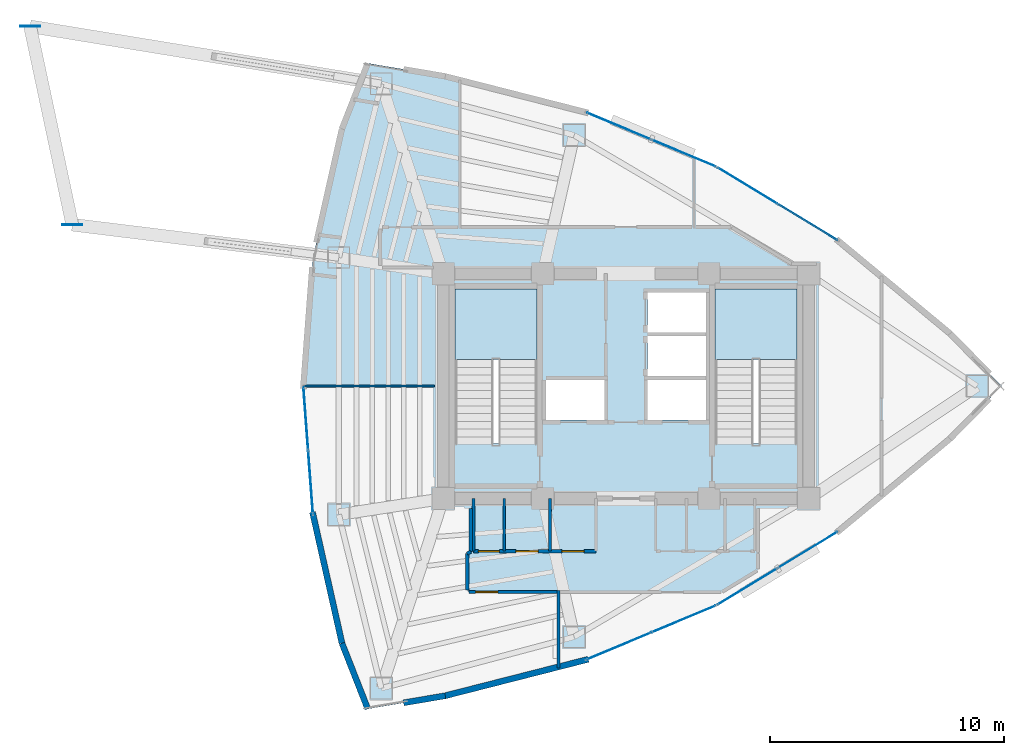
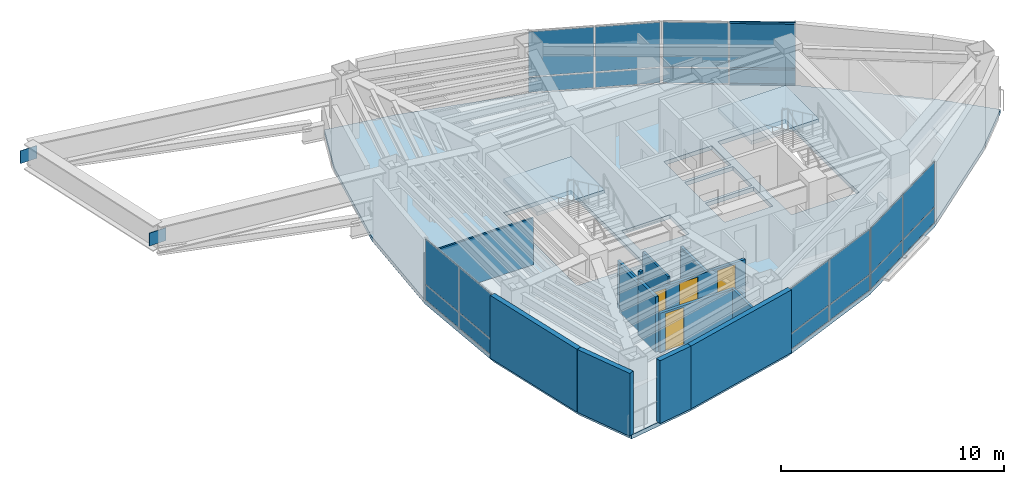
# One storey, part 10 of 14: 22 plates, 14 walls, 4 doors, 3 members, 3 slabs, 4 openings, 7 elements without a shape of their own.
"""IFC4 building model written with IfcOpenShell, lengths in metres."""

from ifc_helpers import new_model, si_unit, direction, frame, frame_2d, origin, origin_2d, place, context, subcontext, project, spatial, polyline, rectangle, hollow_rectangle, outline, extrude, material, layer, layer_set, material_profile, profile_set, type_object, element, fill, aggregate, save


model = new_model("IFC4")

# Units and contexts
model_context = context("Model", 3, precision=1e-05, world=origin(), true_north=direction((0.0, 1.0)))
body_context = subcontext(model_context, "Body", "Model", "MODEL_VIEW")
ifc_project = project(units=[si_unit("LENGTHUNIT", "METRE"), si_unit("AREAUNIT", "SQUARE_METRE"), si_unit("VOLUMEUNIT", "CUBIC_METRE"), si_unit("PLANEANGLEUNIT", "RADIAN"), si_unit("MASSUNIT", "GRAM", prefix="KILO")], contexts=[model_context])

# Site, building, storey
site_placement = place(None, origin())
site = spatial("IfcSite", under=ifc_project, at=site_placement, CompositionType="ELEMENT")
building_placement = place(site_placement, origin())
building = spatial("IfcBuilding", under=site, at=building_placement, Name="Menara Vayukalpa", CompositionType="ELEMENT")
storey_placement = place(building_placement, frame((0.0, 0.0, 191.52001953125)))
storey = spatial("IfcBuildingStorey", under=building, at=storey_placement, Name="L48", CompositionType="ELEMENT", Elevation=191.52001953125)

# Curtain wall, members, plates
ifc_material_1 = material(Name="Anodised Terracotta Aluminium Alloy 6063-T6", Category="masonry")
ifc_layer_1 = layer(ifc_material_1, 0.139892578125)
ifc_layer_set_1 = layer_set([ifc_layer_1], Name="Anodised Terracotta Aluminium Alloy 6063-T6")
curtain_wall_type = type_object("IfcCurtainWallType", Name="CW-CW5", PredefinedType="USERDEFINED", material=ifc_layer_set_1)
curtain_wall_1_placement = place(storey_placement, origin())
curtain_wall_1 = element("IfcCurtainWall", 1, at=curtain_wall_1_placement, inside=storey, type_object=curtain_wall_type, Name="L48 High Rise Tapered Curtain Wall CW5 04", ObjectType="UNITISED", PredefinedType="USERDEFINED")
ifc_material_2 = material(Name="Anodised Terracotta Aluminium Alloy 6063-T6", Category="masonry")
ifc_material_profile = material_profile(ifc_material_2, hollow_rectangle(XDim=0.06005859375, YDim=0.10498046875, WallThickness=0.0029296875, at=origin_2d()), Name="ALU 60x105x3")
ifc_profile_set = profile_set([ifc_material_profile], Name="Anodised Terracotta Aluminium Alloy 6063-T6")
member_type = type_object("IfcMemberType", Name="CWT-CW5", PredefinedType="USERDEFINED", material=ifc_profile_set)
member_1_placement = place(storey_placement, frame((34.615966796875, 28.23046875, 0.030029296875), z_axis=(-0.854683649113, 0.519149169255, 0.0), x_axis=(-0.519149169255, -0.854683649113, 0.0)))
member_1 = element("IfcMember", 2, at=member_1_placement, type_object=member_type, Name="CW5 transom 1.1", ObjectType="TRANSOM", PredefinedType="USERDEFINED", context=body_context, shape_type="SweptSolid", body=[
    extrude(hollow_rectangle(XDim=0.06005859375, YDim=0.10498046875, WallThickness=0.0029296875, at=origin_2d()), origin(), (0.0, 0.0, 1.0), 2.9423828125),
])
member_2_placement = place(storey_placement, frame((34.615966796875, 28.23046875, 0.89990234375), z_axis=(-0.854683649113, 0.519149169255, 0.0), x_axis=(-0.519149169255, -0.854683649113, 0.0)))
member_2 = element("IfcMember", 3, at=member_2_placement, type_object=member_type, Name="CW5 transom 1.2", ObjectType="TRANSOM", PredefinedType="USERDEFINED", context=body_context, shape_type="SweptSolid", body=[
    extrude(hollow_rectangle(XDim=0.06005859375, YDim=0.10498046875, WallThickness=0.0029296875, at=origin_2d()), origin(), (0.0, 0.0, 1.0), 2.9423828125),
])
member_3_placement = place(storey_placement, frame((34.615966796875, 28.23046875, 3.409912109375), z_axis=(-0.854683649113, 0.519149169255, 0.0), x_axis=(-0.519149169255, -0.854683649113, 0.0)))
member_3 = element("IfcMember", 4, at=member_3_placement, type_object=member_type, Name="CW5 transom 1.3", ObjectType="TRANSOM", PredefinedType="USERDEFINED", context=body_context, shape_type="SweptSolid", body=[
    extrude(hollow_rectangle(XDim=0.06005859375, YDim=0.10498046875, WallThickness=0.0029296875, at=origin_2d()), origin(), (0.0, 0.0, 1.0), 2.9423828125),
])
ifc_material_3 = material(Name="Low-E Double Glazing", Category="glass")
ifc_layer_2 = layer(ifc_material_3, 0.028076171875)
ifc_layer_set_2 = layer_set([ifc_layer_2], Name="Low-E Double Glazing")
plate_type_1 = type_object("IfcPlateType", Name="CWP-CW5", PredefinedType="CURTAIN_PANEL", material=ifc_layer_set_2)
plate_1_placement = place(storey_placement, frame((33.358642578125, 28.994384765625, 0.06005859375), z_axis=(0.0, 0.0, 1.0), x_axis=(-0.854664974832, 0.519179911779, 0.0)))
plate_1 = element("IfcPlate", 5, at=plate_1_placement, type_object=plate_type_1, Name="CW5 panel 1.1", PredefinedType="CURTAIN_PANEL", context=body_context, shape_type="SweptSolid", body=[
    extrude(rectangle(XDim=2.9423828125, YDim=0.028076171875, at=origin_2d()), origin(), (0.0, 0.0, 1.0), 0.81005859375),
])
plate_2_placement = place(storey_placement, frame((33.358642578125, 28.994384765625, 0.93017578125), z_axis=(0.0, 0.0, 1.0), x_axis=(-0.854664974832, 0.519179911779, 0.0)))
plate_2 = element("IfcPlate", 6, at=plate_2_placement, type_object=plate_type_1, Name="CW5 panel 1.2", PredefinedType="CURTAIN_PANEL", context=body_context, shape_type="SweptSolid", body=[
    extrude(rectangle(XDim=2.9423828125, YDim=0.028076171875, at=origin_2d()), origin(), (0.0, 0.0, 1.0), 2.449951171875),
])
plate_3_placement = place(storey_placement, frame((30.79248046875, 30.55322265625, 0.06005859375), z_axis=(0.0, 0.0, 1.0), x_axis=(-0.854664974832, 0.519179911779, 0.0)))
plate_3 = element("IfcPlate", 7, at=plate_3_placement, type_object=plate_type_1, Name="CW5 panel 2.1", PredefinedType="CURTAIN_PANEL", context=body_context, shape_type="SweptSolid", body=[
    extrude(rectangle(XDim=2.9423828125, YDim=0.028076171875, at=origin_2d()), origin(), (0.0, 0.0, 1.0), 0.81005859375),
])
plate_4_placement = place(storey_placement, frame((30.79248046875, 30.55322265625, 0.93017578125), z_axis=(0.0, 0.0, 1.0), x_axis=(-0.854664974832, 0.519179911779, 0.0)))
plate_4 = element("IfcPlate", 8, at=plate_4_placement, type_object=plate_type_1, Name="CW5 panel 2.2", PredefinedType="CURTAIN_PANEL", context=body_context, shape_type="SweptSolid", body=[
    extrude(rectangle(XDim=2.9423828125, YDim=0.028076171875, at=origin_2d()), origin(), (0.0, 0.0, 1.0), 2.449951171875),
])
aggregate(curtain_wall_1, [member_1, member_2, member_3, plate_1, plate_2, plate_3, plate_4])

# Curtain wall, plates
curtain_wall_2_placement = place(storey_placement, origin())
curtain_wall_2 = element("IfcCurtainWall", 9, at=curtain_wall_2_placement, inside=storey, type_object=curtain_wall_type, Name="L48 High Rise Tapered Curtain Wall CW5 05", ObjectType="UNITISED", PredefinedType="USERDEFINED")
plate_5_placement = place(storey_placement, frame((28.071044921875, 31.93896484375, 0.06005859375), z_axis=(0.0, 0.0, 1.0), x_axis=(-0.922539431351, 0.385902834406, 0.0)))
plate_5 = element("IfcPlate", 10, at=plate_5_placement, type_object=plate_type_1, Name="CW5 panel 1.1", PredefinedType="CURTAIN_PANEL", context=body_context, shape_type="SweptSolid", body=[
    extrude(rectangle(XDim=2.9423828125, YDim=0.028076171875, at=origin_2d()), origin(), (0.0, 0.0, 1.0), 0.81005859375),
])
plate_6_placement = place(storey_placement, frame((28.071044921875, 31.93896484375, 0.93017578125), z_axis=(0.0, 0.0, 1.0), x_axis=(-0.922539431351, 0.385902834406, 0.0)))
plate_6 = element("IfcPlate", 11, at=plate_6_placement, type_object=plate_type_1, Name="CW5 panel 1.2", PredefinedType="CURTAIN_PANEL", context=body_context, shape_type="SweptSolid", body=[
    extrude(rectangle(XDim=2.9423828125, YDim=0.028076171875, at=origin_2d()), origin(), (0.0, 0.0, 1.0), 2.449951171875),
])
plate_7_placement = place(storey_placement, frame((25.30126953125, 33.09765625, 0.06005859375), z_axis=(0.0, 0.0, 1.0), x_axis=(-0.922539431351, 0.385902834406, 0.0)))
plate_7 = element("IfcPlate", 12, at=plate_7_placement, type_object=plate_type_1, Name="CW5 panel 2.1", PredefinedType="CURTAIN_PANEL", context=body_context, shape_type="SweptSolid", body=[
    extrude(rectangle(XDim=2.9423828125, YDim=0.028076171875, at=origin_2d()), origin(), (0.0, 0.0, 1.0), 0.81005859375),
])
plate_8_placement = place(storey_placement, frame((25.30126953125, 33.09765625, 0.93017578125), z_axis=(0.0, 0.0, 1.0), x_axis=(-0.922539431351, 0.385902834406, 0.0)))
plate_8 = element("IfcPlate", 13, at=plate_8_placement, type_object=plate_type_1, Name="CW5 panel 2.2", PredefinedType="CURTAIN_PANEL", context=body_context, shape_type="SweptSolid", body=[
    extrude(rectangle(XDim=2.9423828125, YDim=0.028076171875, at=origin_2d()), origin(), (0.0, 0.0, 1.0), 2.449951171875),
])
aggregate(curtain_wall_2, [plate_5, plate_6, plate_7, plate_8])

curtain_wall_3_placement = place(storey_placement, origin())
curtain_wall_3 = element("IfcCurtainWall", 14, at=curtain_wall_3_placement, inside=storey, type_object=curtain_wall_type, Name="L48 High Rise Tapered Curtain Wall CW5 11", ObjectType="UNITISED", PredefinedType="USERDEFINED")
plate_9_placement = place(storey_placement, frame((11.936279296875, 20.61279296875, 0.06005859375), z_axis=(0.0, 0.0, 1.0), x_axis=(0.074791754736, -0.9971991744, 0.0)))
plate_9 = element("IfcPlate", 15, at=plate_9_placement, type_object=plate_type_1, Name="CW5 panel 1.1", PredefinedType="CURTAIN_PANEL", context=body_context, shape_type="SweptSolid", body=[
    extrude(rectangle(XDim=2.662353515625, YDim=0.028076171875, at=origin_2d()), origin(), (0.0, 0.0, 1.0), 0.81005859375),
])
plate_10_placement = place(storey_placement, frame((11.936279296875, 20.61279296875, 0.93017578125), z_axis=(0.0, 0.0, 1.0), x_axis=(0.074791754736, -0.9971991744, 0.0)))
plate_10 = element("IfcPlate", 16, at=plate_10_placement, type_object=plate_type_1, Name="CW5 panel 1.2", PredefinedType="CURTAIN_PANEL", context=body_context, shape_type="SweptSolid", body=[
    extrude(rectangle(XDim=2.662353515625, YDim=0.028076171875, at=origin_2d()), origin(), (0.0, 0.0, 1.0), 2.449951171875),
])
plate_11_placement = place(storey_placement, frame((12.139892578125, 17.89794921875, 0.06005859375), z_axis=(0.0, 0.0, 1.0), x_axis=(0.074791754736, -0.9971991744, 0.0)))
plate_11 = element("IfcPlate", 17, at=plate_11_placement, type_object=plate_type_1, Name="CW5 panel 2.1", PredefinedType="CURTAIN_PANEL", context=body_context, shape_type="SweptSolid", body=[
    extrude(rectangle(XDim=2.662353515625, YDim=0.028076171875, at=origin_2d()), origin(), (0.0, 0.0, 1.0), 0.81005859375),
])
plate_12_placement = place(storey_placement, frame((12.139892578125, 17.89794921875, 0.93017578125), z_axis=(0.0, 0.0, 1.0), x_axis=(0.074791754736, -0.9971991744, 0.0)))
plate_12 = element("IfcPlate", 18, at=plate_12_placement, type_object=plate_type_1, Name="CW5 panel 2.2", PredefinedType="CURTAIN_PANEL", context=body_context, shape_type="SweptSolid", body=[
    extrude(rectangle(XDim=2.662353515625, YDim=0.028076171875, at=origin_2d()), origin(), (0.0, 0.0, 1.0), 2.449951171875),
])
aggregate(curtain_wall_3, [plate_9, plate_10, plate_11, plate_12])

curtain_wall_4_placement = place(storey_placement, origin())
curtain_wall_4 = element("IfcCurtainWall", 19, at=curtain_wall_4_placement, inside=storey, type_object=curtain_wall_type, Name="L48 High Rise Tapered Curtain Wall CW5 16", ObjectType="UNITISED", PredefinedType="USERDEFINED")
plate_13_placement = place(storey_placement, frame((25.30126953125, 10.90234375, 0.06005859375), z_axis=(0.0, 0.0, 1.0), x_axis=(0.922539431351, 0.385902834406, 0.0)))
plate_13 = element("IfcPlate", 20, at=plate_13_placement, type_object=plate_type_1, Name="CW5 panel 1.1", PredefinedType="CURTAIN_PANEL", context=body_context, shape_type="SweptSolid", body=[
    extrude(rectangle(XDim=2.9423828125, YDim=0.028076171875, at=origin_2d()), origin(), (0.0, 0.0, 1.0), 0.81005859375),
])
plate_14_placement = place(storey_placement, frame((25.30126953125, 10.90234375, 0.93017578125), z_axis=(0.0, 0.0, 1.0), x_axis=(0.922539431351, 0.385902834406, 0.0)))
plate_14 = element("IfcPlate", 21, at=plate_14_placement, type_object=plate_type_1, Name="CW5 panel 1.2", PredefinedType="CURTAIN_PANEL", context=body_context, shape_type="SweptSolid", body=[
    extrude(rectangle(XDim=2.9423828125, YDim=0.028076171875, at=origin_2d()), origin(), (0.0, 0.0, 1.0), 2.449951171875),
])
plate_15_placement = place(storey_placement, frame((28.071044921875, 12.06103515625, 0.06005859375), z_axis=(0.0, 0.0, 1.0), x_axis=(0.922539431351, 0.385902834406, 0.0)))
plate_15 = element("IfcPlate", 22, at=plate_15_placement, type_object=plate_type_1, Name="CW5 panel 2.1", PredefinedType="CURTAIN_PANEL", context=body_context, shape_type="SweptSolid", body=[
    extrude(rectangle(XDim=2.9423828125, YDim=0.028076171875, at=origin_2d()), origin(), (0.0, 0.0, 1.0), 0.81005859375),
])
plate_16_placement = place(storey_placement, frame((28.071044921875, 12.06103515625, 0.93017578125), z_axis=(0.0, 0.0, 1.0), x_axis=(0.922539431351, 0.385902834406, 0.0)))
plate_16 = element("IfcPlate", 23, at=plate_16_placement, type_object=plate_type_1, Name="CW5 panel 2.2", PredefinedType="CURTAIN_PANEL", context=body_context, shape_type="SweptSolid", body=[
    extrude(rectangle(XDim=2.9423828125, YDim=0.028076171875, at=origin_2d()), origin(), (0.0, 0.0, 1.0), 2.449951171875),
])
aggregate(curtain_wall_4, [plate_13, plate_14, plate_15, plate_16])

curtain_wall_5_placement = place(storey_placement, origin())
curtain_wall_5 = element("IfcCurtainWall", 24, at=curtain_wall_5_placement, inside=storey, type_object=curtain_wall_type, Name="L48 High Rise Tapered Curtain Wall CW5 17", ObjectType="UNITISED", PredefinedType="USERDEFINED")
plate_17_placement = place(storey_placement, frame((30.79248046875, 13.44677734375, 0.06005859375), z_axis=(0.0, 0.0, 1.0), x_axis=(0.854664974832, 0.519179911779, 0.0)))
plate_17 = element("IfcPlate", 25, at=plate_17_placement, type_object=plate_type_1, Name="CW5 panel 1.1", PredefinedType="CURTAIN_PANEL", context=body_context, shape_type="SweptSolid", body=[
    extrude(rectangle(XDim=2.9423828125, YDim=0.028076171875, at=origin_2d()), origin(), (0.0, 0.0, 1.0), 0.81005859375),
])
plate_18_placement = place(storey_placement, frame((30.79248046875, 13.44677734375, 0.93017578125), z_axis=(0.0, 0.0, 1.0), x_axis=(0.854664974832, 0.519179911779, 0.0)))
plate_18 = element("IfcPlate", 26, at=plate_18_placement, type_object=plate_type_1, Name="CW5 panel 1.2", PredefinedType="CURTAIN_PANEL", context=body_context, shape_type="SweptSolid", body=[
    extrude(rectangle(XDim=2.9423828125, YDim=0.028076171875, at=origin_2d()), origin(), (0.0, 0.0, 1.0), 2.449951171875),
])
plate_19_placement = place(storey_placement, frame((33.358642578125, 15.005615234375, 0.06005859375), z_axis=(0.0, 0.0, 1.0), x_axis=(0.854664974832, 0.519179911779, 0.0)))
plate_19 = element("IfcPlate", 27, at=plate_19_placement, type_object=plate_type_1, Name="CW5 panel 2.1", PredefinedType="CURTAIN_PANEL", context=body_context, shape_type="SweptSolid", body=[
    extrude(rectangle(XDim=2.9423828125, YDim=0.028076171875, at=origin_2d()), origin(), (0.0, 0.0, 1.0), 0.81005859375),
])
plate_20_placement = place(storey_placement, frame((33.358642578125, 15.005615234375, 0.93017578125), z_axis=(0.0, 0.0, 1.0), x_axis=(0.854664974832, 0.519179911779, 0.0)))
plate_20 = element("IfcPlate", 28, at=plate_20_placement, type_object=plate_type_1, Name="CW5 panel 2.2", PredefinedType="CURTAIN_PANEL", context=body_context, shape_type="SweptSolid", body=[
    extrude(rectangle(XDim=2.9423828125, YDim=0.028076171875, at=origin_2d()), origin(), (0.0, 0.0, 1.0), 2.449951171875),
])
aggregate(curtain_wall_5, [plate_17, plate_18, plate_19, plate_20])

# Plates
ifc_material_4 = material(Name="Steel S355", Category="steel")
ifc_layer_3 = layer(ifc_material_4, 0.031982421875)
ifc_layer_set_3 = layer_set([ifc_layer_3], Name="Steel S355")
plate_type_2 = type_object("IfcPlateType", Name="PLT-SBN1", PredefinedType="USERDEFINED", material=ifc_layer_set_3)
for number, where, z_axis, x_axis, name in (
    (29, (0.165283203125, 37.35498046875, 2.39013671875), (0.0, 0.0, 1.0), (1.0, 0.0, 0.0), "L48 SB4 Support Node Gusset Plate 04"),
    (30, (1.96630859375, 28.889404296875, 2.39013671875), (0.0, 0.0, 1.0), (1.0, 0.0, 0.0), "L48 SB4 Support Node Gusset Plate 05"),
):
    element("IfcPlate", number, at=place(storey_placement, frame(where, z_axis=z_axis, x_axis=x_axis)), inside=storey, type_object=plate_type_2, Name=name, ObjectType="GUSSET_PLATE", PredefinedType="USERDEFINED", context=body_context, shape_type="SweptSolid", body=[
        extrude(rectangle(XDim=0.860107421875, YDim=0.031982421875, at=origin_2d()), origin(), (0.0, 0.0, 1.0), 0.699951171875),
    ])

# Slab
ifc_material_5 = material(Name="Concrete C40/50", Category="concrete")
ifc_layer_4 = layer(ifc_material_5, 0.219970703125)
ifc_layer_set_4 = layer_set([ifc_layer_4], Name="Concrete C40/50")
slab_type_1 = type_object("IfcSlabType", Name="SLB-FL220", PredefinedType="FLOOR", material=ifc_layer_set_4)
slab_1_placement = place(storey_placement, frame((0.0, 0.0, -0.219970703125)))
element("IfcSlab", 31, at=slab_1_placement, inside=storey, type_object=slab_type_1, Name="L48 Structural Floor Slab", PredefinedType="FLOOR", context=body_context, shape_type="SweptSolid", body=[
    extrude(outline(polyline([(39.439208984375, 19.7578125), (41.640380859375, 22.0), (39.439208984375, 24.2421875), (34.667236328125, 28.19921875), (29.48388671875, 31.34814453125), (23.888671875, 33.688720703125), (17.881591796875, 35.220703125), (14.579833984375, 35.781005859375), (13.47900390625, 32.978515625), (12.243896484375, 27.4892578125), (11.832275390625, 22.0), (12.243896484375, 16.5107421875), (13.47900390625, 11.021484375), (14.579833984375, 8.218994140625), (17.881591796875, 8.779296875), (23.888671875, 10.311279296875), (29.48388671875, 12.65185546875), (34.667236328125, 15.80078125), (39.439208984375, 19.7578125)]), holes=[polyline([(21.800048828125, 19.550048828125), (21.800048828125, 26.14990234375), (18.300048828125, 26.14990234375), (18.300048828125, 19.550048828125), (21.800048828125, 19.550048828125)]), polyline([(32.89990234375, 19.550048828125), (32.89990234375, 26.14990234375), (29.39990234375, 26.14990234375), (29.39990234375, 19.550048828125), (32.89990234375, 19.550048828125)]), polyline([(22.179931640625, 20.550048828125), (24.679931640625, 20.550048828125), (24.679931640625, 22.27001953125), (22.179931640625, 22.27001953125), (22.179931640625, 20.550048828125)]), polyline([(26.52001953125, 20.550048828125), (29.02001953125, 20.550048828125), (29.02001953125, 22.27001953125), (26.52001953125, 22.27001953125), (26.52001953125, 20.550048828125)]), polyline([(26.52001953125, 24.2900390625), (29.02001953125, 24.2900390625), (29.02001953125, 26.010009765625), (26.52001953125, 26.010009765625), (26.52001953125, 24.2900390625)]), polyline([(26.52001953125, 22.419921875), (29.02001953125, 22.419921875), (29.02001953125, 24.139892578125), (26.52001953125, 24.139892578125), (26.52001953125, 22.419921875)])]), origin(), (0.0, 0.0, 1.0), 0.219970703125),
])

# Stair, slab
ifc_material_6 = material(Name="Precast Concrete C40/50", Category="concrete")
stair_type = type_object("IfcStairType", Name="STR-T04", PredefinedType="DOUBLE_RETURN_STAIR", material=ifc_material_6)
stair_1_placement = place(storey_placement, origin())
stair_1 = element("IfcStair", 32, at=stair_1_placement, inside=storey, type_object=stair_type, Name="L48 Core Exit Stair ST-1", PredefinedType="DOUBLE_RETURN_STAIR")
ifc_material_7 = material(Name="Precast Concrete C40/50", Category="concrete")
ifc_layer_5 = layer(ifc_material_7, 0.199951171875)
ifc_layer_set_5 = layer_set([ifc_layer_5], Name="Precast Concrete C40/50")
slab_type_2 = type_object("IfcSlabType", Name="SLB-LND200", PredefinedType="LANDING", material=ifc_layer_set_5)
slab_2_placement = place(storey_placement, frame((0.0, 0.0, 1.659912109375)))
slab_2 = element("IfcSlab", 33, at=slab_2_placement, type_object=slab_type_2, Name="ST-1 landing 1", PredefinedType="LANDING", context=body_context, shape_type="SweptSolid", body=[
    extrude(outline(polyline([(21.800048828125, 23.1298828125), (21.800048828125, 26.14990234375), (18.300048828125, 26.14990234375), (18.300048828125, 23.1298828125), (21.800048828125, 23.1298828125)])), origin(), (0.0, 0.0, 1.0), 0.199951171875),
])
aggregate(stair_1, [slab_2])

stair_2_placement = place(storey_placement, origin())
stair_2 = element("IfcStair", 34, at=stair_2_placement, inside=storey, type_object=stair_type, Name="L48 Core Exit Stair ST-2", PredefinedType="DOUBLE_RETURN_STAIR")
slab_3_placement = place(storey_placement, frame((0.0, 0.0, 1.659912109375)))
slab_3 = element("IfcSlab", 35, at=slab_3_placement, type_object=slab_type_2, Name="ST-2 landing 1", PredefinedType="LANDING", context=body_context, shape_type="SweptSolid", body=[
    extrude(outline(polyline([(32.89990234375, 23.1298828125), (32.89990234375, 26.14990234375), (29.39990234375, 26.14990234375), (29.39990234375, 23.1298828125), (32.89990234375, 23.1298828125)])), origin(), (0.0, 0.0, 1.0), 0.199951171875),
])
aggregate(stair_2, [slab_3])

# Walls
ifc_material_8 = material(Name="Insulated Precast Concrete C40/50", Category="concrete")
ifc_layer_6 = layer(ifc_material_8, 0.260009765625)
ifc_layer_set_6 = layer_set([ifc_layer_6], Name="Insulated Precast Concrete C40/50")
wall_type_1 = type_object("IfcWallType", Name="WAL-EXT260", PredefinedType="PARTITIONING", material=ifc_layer_set_6)
wall_1_placement = place(storey_placement, frame((13.47900390625, 11.021484375, 0.0), z_axis=(0.0, 0.0, 1.0), x_axis=(-0.219475737697, 0.975617958303, 0.0)))
element("IfcWall", 36, at=wall_1_placement, inside=storey, type_object=wall_type_1, Name="L48 Perimeter Terracotta Pier Wall 12", PredefinedType="PARTITIONING", context=body_context, shape_type="SweptSolid", body=[
    extrude(rectangle(XDim=5.736572265625, YDim=0.260009765625, at=frame_2d((2.8681640625, 0.0))), origin(), (0.0, 0.0, 1.0), 3.43994140625),
])
wall_2_placement = place(storey_placement, frame((14.579833984375, 8.218994140625, 0.0), z_axis=(0.0, 0.0, 1.0), x_axis=(-0.365609724313, 0.930768246927, 0.0)))
element("IfcWall", 37, at=wall_2_placement, inside=storey, type_object=wall_type_1, Name="L48 Perimeter Terracotta Pier Wall 13", PredefinedType="PARTITIONING", context=body_context, shape_type="SweptSolid", body=[
    extrude(rectangle(XDim=3.010986328125, YDim=0.260009765625, at=frame_2d((1.50537109375, 0.0))), origin(), (0.0, 0.0, 1.0), 3.43994140625),
])
wall_3_placement = place(storey_placement, frame((17.8876953125, 8.780517578125, 0.0), z_axis=(0.0, 0.0, 1.0), x_axis=(-0.985877723898, -0.167466753484, 0.0)))
element("IfcWall", 38, at=wall_3_placement, inside=storey, type_object=wall_type_1, Name="L48 Perimeter Terracotta Pier Wall 14", PredefinedType="PARTITIONING", context=body_context, shape_type="SweptSolid", body=[
    extrude(rectangle(XDim=1.80615234375, YDim=0.260009765625, at=frame_2d((0.903076171875, 0.0))), origin(), (0.0, 0.0, 1.0), 3.43994140625),
])
wall_4_placement = place(storey_placement, frame((23.9951171875, 10.338623046875, 0.0), z_axis=(0.0, 0.0, 1.0), x_axis=(-0.968976240439, -0.247153890246, 0.0)))
element("IfcWall", 39, at=wall_4_placement, inside=storey, type_object=wall_type_1, Name="L48 Perimeter Terracotta Pier Wall 15", PredefinedType="PARTITIONING", context=body_context, shape_type="SweptSolid", body=[
    extrude(rectangle(XDim=6.31494140625, YDim=0.260009765625, at=frame_2d((3.157470703125, 0.0))), origin(), (0.0, 0.0, 1.0), 3.43994140625),
])
ifc_material_9 = material(Name="Glazed Demountable Office Partition", Category="glass")
ifc_layer_7 = layer(ifc_material_9, 0.094970703125)
ifc_layer_set_7 = layer_set([ifc_layer_7], Name="Glazed Demountable Office Partition")
wall_type_2 = type_object("IfcWallType", Name="WAL-PT100", PredefinedType="PARTITIONING", material=ifc_layer_set_7)
wall_5_placement = place(storey_placement, frame((11.822265625, 22.0, 0.0), z_axis=(0.0, 0.0, 1.0), x_axis=(1.0, 0.0, 0.0)))
element("IfcWall", 40, at=wall_5_placement, inside=storey, type_object=wall_type_2, Name="L48 Interior Partition IW-L48-RDIV04", PredefinedType="PARTITIONING", context=body_context, shape_type="SweptSolid", body=[
    extrude(rectangle(XDim=5.607666015625, YDim=0.094970703125, at=frame_2d((2.8037109375, 0.0))), origin(), (0.0, 0.0, 1.0), 2.570068359375),
])
ifc_material_10 = material(Name="Acoustic Mineral Stud Partition", Category="masonry")
ifc_layer_8 = layer(ifc_material_10, 0.110107421875)
ifc_layer_set_8 = layer_set([ifc_layer_8], Name="Acoustic Mineral Stud Partition")
wall_type_3 = type_object("IfcWallType", Name="WAL-PT110", PredefinedType="PARTITIONING", material=ifc_layer_set_8)
wall_6_placement = place(storey_placement, frame((20.39990234375, 14.949951171875, 0.0), z_axis=(0.0, 0.0, 1.0), x_axis=(0.0, 1.0, 0.0)))
element("IfcWall", 41, at=wall_6_placement, inside=storey, type_object=wall_type_3, Name="L48 Interior Partition IW-L48-SVCD-02", PredefinedType="PARTITIONING", context=body_context, shape_type="SweptSolid", body=[
    extrude(rectangle(XDim=2.25, YDim=0.110107421875, at=frame_2d((1.125, 0.0))), origin(), (0.0, 0.0, 1.0), 2.570068359375),
])
ifc_material_11 = material(Name="Gypsum Drywall Steel Stud Assembly", Category="steel")
ifc_layer_9 = layer(ifc_material_11, 0.125)
ifc_layer_set_9 = layer_set([ifc_layer_9], Name="Gypsum Drywall Steel Stud Assembly")
wall_type_4 = type_object("IfcWallType", Name="WAL-PT125", PredefinedType="PARTITIONING", material=ifc_layer_set_9)
wall_7_placement = place(storey_placement, frame((19.10009765625, 14.949951171875, 0.0), z_axis=(0.0, 0.0, 1.0), x_axis=(0.0, 1.0, 0.0)))
element("IfcWall", 42, at=wall_7_placement, inside=storey, type_object=wall_type_4, Name="L48 Interior Partition IW-L48-SVCD-01", PredefinedType="PARTITIONING", context=body_context, shape_type="SweptSolid", body=[
    extrude(rectangle(XDim=2.25, YDim=0.125, at=frame_2d((1.125, 0.0))), origin(), (0.0, 0.0, 1.0), 2.570068359375),
])
wall_8_placement = place(storey_placement, frame((22.360107421875, 14.949951171875, 0.0), z_axis=(0.0, 0.0, 1.0), x_axis=(0.0, 1.0, 0.0)))
element("IfcWall", 43, at=wall_8_placement, inside=storey, type_object=wall_type_4, Name="L48 Interior Partition IW-L48-SVCD-03", PredefinedType="PARTITIONING", context=body_context, shape_type="SweptSolid", body=[
    extrude(rectangle(XDim=2.25, YDim=0.125, at=frame_2d((1.125, 0.0))), origin(), (0.0, 0.0, 1.0), 2.169921875),
])
wall_9_placement = place(storey_placement, frame((22.724853515625, 9.973388671875, 0.0), z_axis=(0.0, 0.0, 1.0), x_axis=(0.0, 1.0, 0.0)))
element("IfcWall", 44, at=wall_9_placement, inside=storey, type_object=wall_type_4, Name="L48 Interior Partition IW-L48-RDIV05", PredefinedType="PARTITIONING", context=body_context, shape_type="SweptSolid", body=[
    extrude(rectangle(XDim=3.296630859375, YDim=0.125, at=frame_2d((1.6484375, 0.0))), origin(), (0.0, 0.0, 1.0), 2.169921875),
])

# Wall, openings, doors
ifc_material_12 = material(Name="Gypsum Drywall Acoustic Stud Assembly", Category="masonry")
ifc_layer_10 = layer(ifc_material_12, 0.14501953125)
ifc_layer_set_10 = layer_set([ifc_layer_10], Name="Gypsum Drywall Acoustic Stud Assembly")
wall_type_5 = type_object("IfcWallType", Name="WAL-PT150", PredefinedType="PARTITIONING", material=ifc_layer_set_10)
wall_10_placement = place(storey_placement, frame((19.10009765625, 14.949951171875, 0.0), z_axis=(0.0, 0.0, 1.0), x_axis=(1.0, 0.0, 0.0)))
wall_10 = element("IfcWall", 45, at=wall_10_placement, inside=storey, type_object=wall_type_5, Name="L48 Interior Partition IW-L48-SVCS-W", PredefinedType="PARTITIONING", context=body_context, shape_type="SweptSolid", body=[
    extrude(rectangle(XDim=5.219970703125, YDim=0.14501953125, at=frame_2d((2.60986328125, 0.0))), origin(), (0.0, 0.0, 1.0), 2.169921875),
])
opening_1_placement = place(wall_10_placement, frame((0.199951171875, 0.0, 0.0)))
opening_1 = element("IfcOpeningElement", 46, at=opening_1_placement, cuts=wall_10, Name="Opening ID7", PredefinedType="OPENING", context=body_context, shape_type="SweptSolid", body=[
    extrude(rectangle(XDim=0.89990234375, YDim=2.02001953125, at=frame_2d((0.449951171875, 1.010009765625))), frame((0.0, 0.08251953125, 0.0), z_axis=(0.0, -1.0, 0.0), x_axis=(1.0, 0.0, 0.0)), (0.0, 0.0, 1.0), 0.1650390625),
])
opening_2_placement = place(wall_10_placement, frame((1.804931640625, 0.0, 0.0)))
opening_2 = element("IfcOpeningElement", 47, at=opening_2_placement, cuts=wall_10, Name="Opening ID5", PredefinedType="OPENING", context=body_context, shape_type="SweptSolid", body=[
    extrude(rectangle(XDim=0.949951171875, YDim=2.06005859375, at=frame_2d((0.47509765625, 1.030029296875))), frame((0.0, 0.08251953125, 0.0), z_axis=(0.0, -1.0, 0.0), x_axis=(1.0, 0.0, 0.0)), (0.0, 0.0, 1.0), 0.1650390625),
])
opening_3_placement = place(wall_10_placement, frame((3.764892578125, 0.0, 0.0)))
opening_3 = element("IfcOpeningElement", 48, at=opening_3_placement, cuts=wall_10, Name="Opening ID5", PredefinedType="OPENING", context=body_context, shape_type="SweptSolid", body=[
    extrude(rectangle(XDim=0.949951171875, YDim=2.06005859375, at=frame_2d((0.47509765625, 1.030029296875))), frame((0.0, 0.08251953125, 0.0), z_axis=(0.0, -1.0, 0.0), x_axis=(1.0, 0.0, 0.0)), (0.0, 0.0, 1.0), 0.1650390625),
])
ifc_material_13 = material(Name="Acoustic Hardwood Veneer Timber Door", Category="wood")
door_type_1 = type_object("IfcDoorType", Name="DR-INT95", OperationType="NOTDEFINED", PredefinedType="DOOR", material=ifc_material_13)
door_1_placement = place(opening_2_placement, origin())
door_1 = element("IfcDoor", 49, at=door_1_placement, inside=storey, type_object=door_type_1, Name="L48 Interior Door DR-L48-AWC", OperationType="SINGLE_SWING_RIGHT", OverallHeight=2.06005859375, OverallWidth=0.949951171875, PredefinedType="DOOR", context=body_context, shape_type="SweptSolid", body=[
    extrude(rectangle(XDim=0.949951171875, YDim=2.06005859375, at=frame_2d((0.47509765625, 1.030029296875))), frame((0.0, 0.02490234375, 0.0), z_axis=(0.0, -1.0, 0.0), x_axis=(1.0, 0.0, 0.0)), (0.0, 0.0, 1.0), 0.050048828125),
])
fill(opening_2, door_1)
door_2_placement = place(opening_3_placement, origin())
door_2 = element("IfcDoor", 50, at=door_2_placement, inside=storey, type_object=door_type_1, Name="L48 Interior Door DR-L48-SWC", OperationType="SINGLE_SWING_LEFT", OverallHeight=2.06005859375, OverallWidth=0.949951171875, PredefinedType="DOOR", context=body_context, shape_type="SweptSolid", body=[
    extrude(rectangle(XDim=0.949951171875, YDim=2.06005859375, at=frame_2d((0.47509765625, 1.030029296875))), frame((0.0, 0.02490234375, 0.0), z_axis=(0.0, -1.0, 0.0), x_axis=(1.0, 0.0, 0.0)), (0.0, 0.0, 1.0), 0.050048828125),
])
fill(opening_3, door_2)
ifc_material_14 = material(Name="Powder-Coated Steel Riser Access Door", Category="steel")
door_type_2 = type_object("IfcDoorType", Name="DR-RISER", OperationType="NOTDEFINED", PredefinedType="DOOR", material=ifc_material_14)
door_3_placement = place(opening_1_placement, origin())
door_3 = element("IfcDoor", 51, at=door_3_placement, inside=storey, type_object=door_type_2, Name="L48 Interior Door DR-L48-ELR", OperationType="SINGLE_SWING_LEFT", OverallHeight=2.02001953125, OverallWidth=0.89990234375, PredefinedType="DOOR", context=body_context, shape_type="SweptSolid", body=[
    extrude(rectangle(XDim=0.89990234375, YDim=2.02001953125, at=frame_2d((0.449951171875, 1.010009765625))), frame((0.0, 0.02490234375, 0.0), z_axis=(0.0, -1.0, 0.0), x_axis=(1.0, 0.0, 0.0)), (0.0, 0.0, 1.0), 0.050048828125),
])
fill(opening_1, door_3)

# Walls
wall_11_placement = place(storey_placement, frame((18.97998046875, 16.780029296875, 0.0), z_axis=(0.0, 0.0, 1.0), x_axis=(0.0, -1.0, 0.0)))
element("IfcWall", 52, at=wall_11_placement, inside=storey, type_object=wall_type_5, Name="L48 Interior Partition IW-L48-CRM01-1", PredefinedType="PARTITIONING", context=body_context, shape_type="SweptSolid", body=[
    extrude(rectangle(XDim=1.85009765625, YDim=0.14501953125, at=frame_2d((0.925048828125, 0.0))), origin(), (0.0, 0.0, 1.0), 2.570068359375),
])
wall_12_placement = place(storey_placement, frame((18.820068359375, 14.85009765625, 0.0), z_axis=(0.0, 0.0, 1.0), x_axis=(0.0, -1.0, 0.0)))
element("IfcWall", 53, at=wall_12_placement, inside=storey, type_object=wall_type_5, Name="L48 Interior Partition IW-L48-CRM01-2", PredefinedType="PARTITIONING", context=body_context, shape_type="SweptSolid", body=[
    extrude(rectangle(XDim=1.56005859375, YDim=0.14501953125, at=frame_2d((0.780029296875, 0.0))), origin(), (0.0, 0.0, 1.0), 3.02001953125),
])

# Wall, opening, door
wall_13_placement = place(storey_placement, frame((18.89990234375, 13.2099609375, 0.0), z_axis=(0.0, 0.0, 1.0), x_axis=(1.0, 0.0, 0.0)))
wall_13 = element("IfcWall", 54, at=wall_13_placement, inside=storey, type_object=wall_type_5, Name="L48 Interior Partition IW-L48-CRM01-3", PredefinedType="PARTITIONING", context=body_context, shape_type="SweptSolid", body=[
    extrude(rectangle(XDim=3.7548828125, YDim=0.14501953125, at=frame_2d((1.87744140625, 0.0))), origin(), (0.0, 0.0, 1.0), 2.169921875),
])
opening_4_placement = place(wall_13_placement, frame((0.280029296875, 0.0, 0.0)))
opening_4 = element("IfcOpeningElement", 55, at=opening_4_placement, cuts=wall_13, Name="Opening ID5", PredefinedType="OPENING", context=body_context, shape_type="SweptSolid", body=[
    extrude(rectangle(XDim=0.949951171875, YDim=2.06005859375, at=frame_2d((0.47509765625, 1.030029296875))), frame((0.0, 0.08251953125, 0.0), z_axis=(0.0, -1.0, 0.0), x_axis=(1.0, 0.0, 0.0)), (0.0, 0.0, 1.0), 0.1650390625),
])
door_4_placement = place(opening_4_placement, origin())
door_4 = element("IfcDoor", 56, at=door_4_placement, inside=storey, type_object=door_type_1, Name="L48 Interior Door DR-L48-RM01", OperationType="SINGLE_SWING_LEFT", OverallHeight=2.06005859375, OverallWidth=0.949951171875, PredefinedType="DOOR", context=body_context, shape_type="SweptSolid", body=[
    extrude(rectangle(XDim=0.949951171875, YDim=2.06005859375, at=frame_2d((0.47509765625, 1.030029296875))), frame((0.0, 0.02490234375, 0.0), z_axis=(0.0, -1.0, 0.0), x_axis=(1.0, 0.0, 0.0)), (0.0, 0.0, 1.0), 0.050048828125),
])
fill(opening_4, door_4)

# Wall
wall_14_placement = place(storey_placement, frame((18.820068359375, 14.85009765625, 0.0), z_axis=(0.0, 0.0, 1.0), x_axis=(0.89470021502, 0.446667130247, 0.0)))
element("IfcWall", 57, at=wall_14_placement, inside=storey, type_object=wall_type_5, Name="L48 Interior Partition IW-L48-CRM01-2-R0", PredefinedType="PARTITIONING", context=body_context, shape_type="SweptSolid", body=[
    extrude(rectangle(XDim=0.1787109375, YDim=0.14501953125, at=frame_2d((0.08935546875, 0.0))), origin(), (0.0, 0.0, 1.0), 3.43994140625),
])

save(model, "model.ifc")
